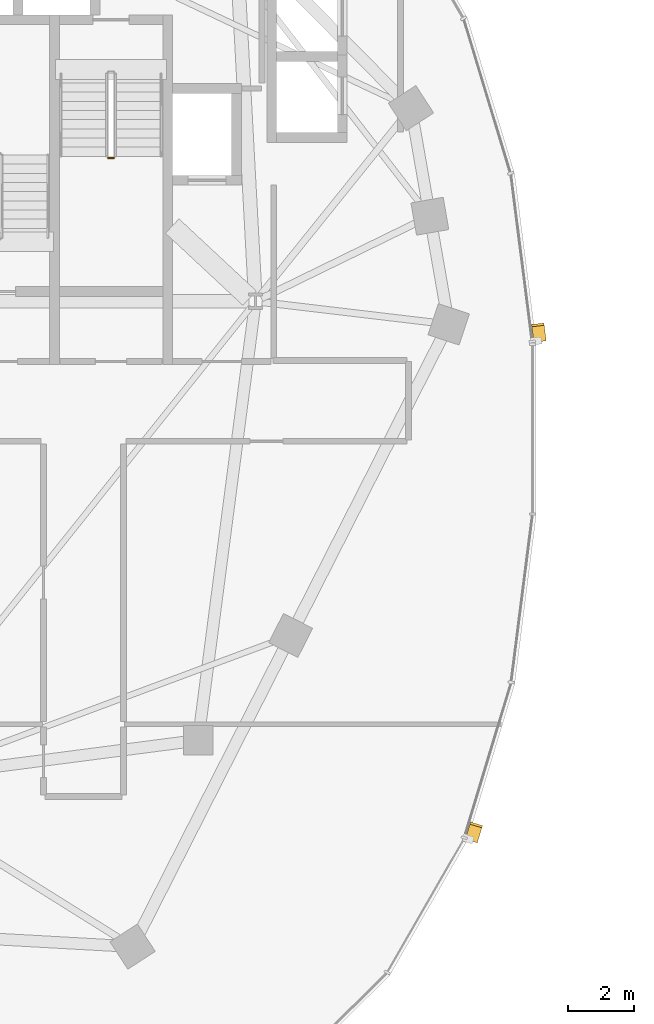
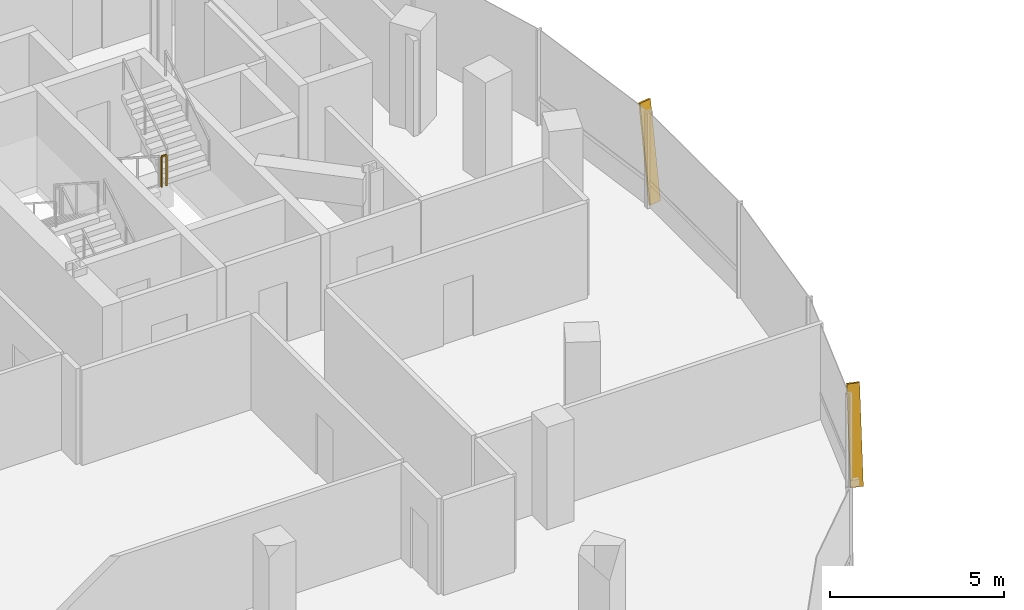
# One storey, part 19 of 22: 2 shading devices, 1 railing.
"""IFC4 building model written with IfcOpenShell, lengths in metres."""

from ifc_helpers import new_model, si_unit, direction, frame, origin, origin_2d, place, context, subcontext, project, spatial, rectangle, extrude, material, material_profile, profile_set, type_object, element, save


model = new_model("IFC4")

# Units and contexts
model_context = context("Model", 3, precision=1e-05, world=origin(), true_north=direction((0.0, 1.0)))
body_context = subcontext(model_context, "Body", "Model", "MODEL_VIEW")
ifc_project = project(units=[si_unit("LENGTHUNIT", "METRE"), si_unit("AREAUNIT", "SQUARE_METRE"), si_unit("VOLUMEUNIT", "CUBIC_METRE"), si_unit("PLANEANGLEUNIT", "RADIAN"), si_unit("MASSUNIT", "GRAM", prefix="KILO"), si_unit("THERMODYNAMICTEMPERATUREUNIT", "KELVIN"), si_unit("POWERUNIT", "WATT")], contexts=[model_context])

# Site, building, storey
site_placement = place(None, origin())
site = spatial("IfcSite", under=ifc_project, at=site_placement, CompositionType="ELEMENT")
building_placement = place(site_placement, origin())
building = spatial("IfcBuilding", under=site, at=building_placement, Name="Cundina Bronze Exchange", CompositionType="ELEMENT")
storey_placement = place(building_placement, frame((0.0, 0.0, 154.800048828125)))
storey = spatial("IfcBuildingStorey", under=building, at=storey_placement, Name="L40", CompositionType="ELEMENT", Elevation=154.800048828125)

# Railing
ifc_material_1 = material(Name="Steel ASTM A36 Painted", Category="steel")
railing_type = type_object("IfcRailingType", Name="RLG-STG-1100", PredefinedType="GUARDRAIL", material=ifc_material_1)
railing_placement = place(storey_placement, frame((-25.93994140625, 8.280029296875, 1.800048828125)))
element("IfcRailing", 1, at=railing_placement, inside=storey, type_object=railing_type, Name="L40 ST-W2 stair guard 2", PredefinedType="GUARDRAIL", context=body_context, shape_type="SweptSolid", body=[
    extrude(rectangle(XDim=0.048095703125, YDim=0.048095703125, at=origin_2d()), frame((0.0, 0.0, 1.076171875), z_axis=(1.0, 0.0, 0.0), x_axis=(0.0, 1.0, 0.0)), (0.0, 0.0, 1.0), 0.159912109375),
    extrude(rectangle(XDim=0.0419921875, YDim=0.0419921875, at=origin_2d()), origin(), (0.0, 0.0, 1.0), 1.052001953125),
    extrude(rectangle(XDim=0.0419921875, YDim=0.0419921875, at=origin_2d()), frame((0.159912109375, 0.0, 0.0)), (0.0, 0.0, 1.0), 1.052001953125),
])

# Shading devices
ifc_material_2 = material(Name="Anodised Bronze Aluminium 6063-T6", Category="aluminium")
ifc_material_profile = material_profile(ifc_material_2, rectangle(XDim=0.070068359375, YDim=0.3798828125, at=origin_2d()), Name="FIN70X380", Category="aluminium")
ifc_profile_set = profile_set([ifc_material_profile], Name="Anodised Bronze Aluminium 6063-T6")
shading_device_type = type_object("IfcShadingDeviceType", Name="SHD-FIN-BRZ380", PredefinedType="USERDEFINED", material=ifc_profile_set)
for number, where, z_axis, x_axis, name in (
    (2, (-12.76513671875, 2.705810546875, 0.02001953125), (-0.018123110499, 0.141927973785, 0.989711070527), (0.125360600332, -0.981739641151, 0.143080386066), "L40 Diagonal Bronze Solar Fin 1"),
    (3, (-14.848876953125, -12.5439453125, 0.02001953125), (0.041486383227, 0.136977847776, 0.989704980904), (-0.286882071994, -0.94721413946, 0.143122502684), "L40 Diagonal Bronze Solar Fin 5"),
):
    element("IfcShadingDevice", number, at=place(storey_placement, frame(where, z_axis=z_axis, x_axis=x_axis)), inside=storey, type_object=shading_device_type, Name=name, ObjectType="FIN", PredefinedType="USERDEFINED", context=body_context, shape_type="SweptSolid", body=[
        extrude(rectangle(XDim=0.070068359375, YDim=0.3798828125, at=origin_2d()), origin(), (0.0, 0.0, 1.0), 3.354248046875),
    ])

save(model, "model.ifc")
